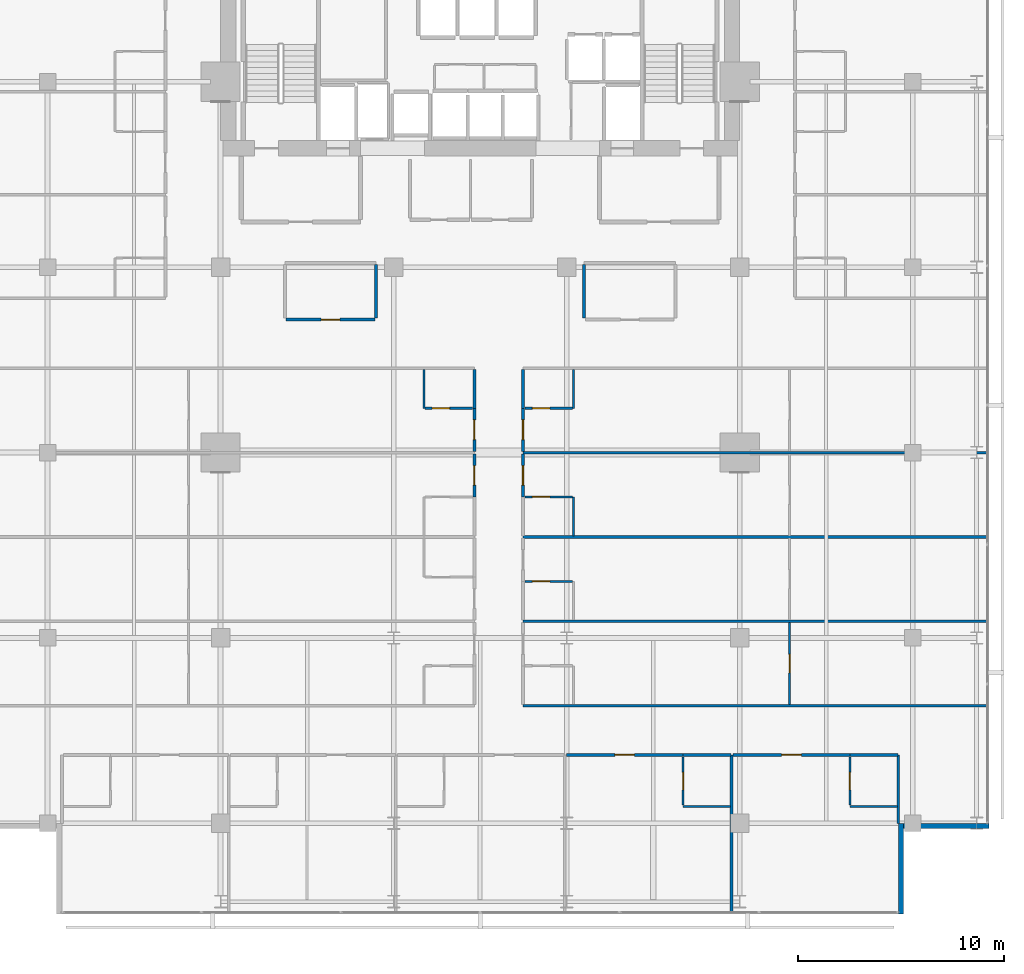
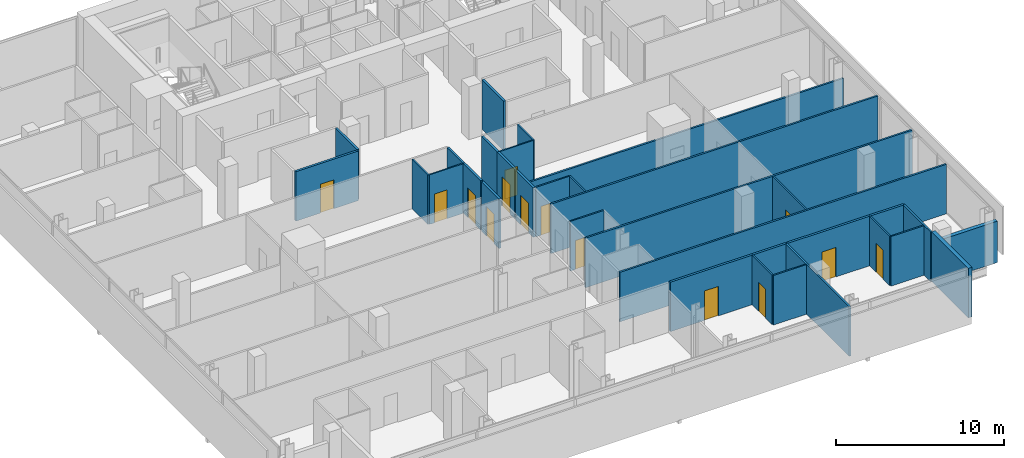
# One storey, part 28 of 34: 33 walls, 14 doors, 14 openings.
"""IFC4 building model written with IfcOpenShell, lengths in metres."""

from ifc_helpers import new_model, si_unit, direction, frame, frame_2d, origin, place, context, subcontext, project, spatial, rectangle, extrude, material, layer, layer_set, type_object, element, fill, save


model = new_model("IFC4")

# Units and contexts
model_context = context("Model", 3, precision=1e-05, world=origin(), true_north=direction((0.0, 1.0)))
body_context = subcontext(model_context, "Body", "Model", "MODEL_VIEW")
ifc_project = project(units=[si_unit("LENGTHUNIT", "METRE"), si_unit("AREAUNIT", "SQUARE_METRE"), si_unit("VOLUMEUNIT", "CUBIC_METRE"), si_unit("PLANEANGLEUNIT", "RADIAN"), si_unit("MASSUNIT", "GRAM", prefix="KILO")], contexts=[model_context])

# Site, building, storey
site_placement = place(None, origin())
site = spatial("IfcSite", under=ifc_project, at=site_placement, CompositionType="ELEMENT")
building_placement = place(site_placement, origin())
building = spatial("IfcBuilding", under=site, at=building_placement, Name="Maruvema Waterfront Hotel and Observation Tower", CompositionType="ELEMENT")
storey_placement = place(building_placement, frame((0.0, 0.0, 181.300048828125)))
storey = spatial("IfcBuildingStorey", under=building, at=storey_placement, Name="L44", CompositionType="ELEMENT", Elevation=181.300048828125)

# Wall
ifc_material_1 = material(Name="Twin-stud acoustic gypsum drywall", Category="gypsum")
ifc_layer_1 = layer(ifc_material_1, 0.14990234375, Name="Acoustic Corridor and Suite Demising Wall 150 mm")
ifc_layer_set_1 = layer_set([ifc_layer_1], Name="Twin-stud acoustic gypsum drywall")
wall_type_1 = type_object("IfcWallType", Name="Acoustic Corridor and Suite Demising Wall 150 mm", PredefinedType="PARTITIONING", material=ifc_layer_set_1)
wall_1_placement = place(storey_placement, frame((32.75, 33.530029296875, 0.0), z_axis=(0.0, 0.0, 1.0), x_axis=(0.0, 1.0, 0.0)))
element("IfcWall", 1, at=wall_1_placement, inside=storey, type_object=wall_type_1, Name="L44 L44-M1 East Wall 029", PredefinedType="PARTITIONING", context=body_context, shape_type="SweptSolid", body=[
    extrude(rectangle(XDim=2.590087890625, YDim=0.14990234375, at=frame_2d((1.294921875, 0.0))), origin(), (0.0, 0.0, 1.0), 3.60986328125),
])

# Wall, opening, door
wall_2_placement = place(storey_placement, frame((28.3798828125, 33.449951171875, 0.0), z_axis=(0.0, 0.0, 1.0), x_axis=(1.0, 0.0, 0.0)))
wall_2 = element("IfcWall", 2, at=wall_2_placement, inside=storey, type_object=wall_type_1, Name="L44 L44-M1 Front 1 030", PredefinedType="PARTITIONING", context=body_context, shape_type="SweptSolid", body=[
    extrude(rectangle(XDim=4.31005859375, YDim=0.14990234375, at=frame_2d((2.155029296875, 0.0))), origin(), (0.0, 0.0, 1.0), 3.60986328125),
])
opening_1_placement = place(wall_2_placement, frame((1.705078125, 0.0, 0.0)))
opening_1 = element("IfcOpeningElement", 3, at=opening_1_placement, cuts=wall_2, Name="Opening DR-090", PredefinedType="OPENING", context=body_context, shape_type="SweptSolid", body=[
    extrude(rectangle(XDim=0.89990234375, YDim=2.10009765625, at=frame_2d((0.449951171875, 1.050048828125))), frame((0.0, 0.0849609375, 0.0), z_axis=(0.0, -1.0, 0.0), x_axis=(1.0, 0.0, 0.0)), (0.0, 0.0, 1.0), 0.169921875),
])
ifc_material_2 = material(Name="Solid-core lacquered timber leaf", Category="wood")
door_type_1 = type_object("IfcDoorType", Name="Accessible Toilet and Room Door 900x2100 mm", OperationType="NOTDEFINED", PredefinedType="DOOR", material=ifc_material_2)
door_1_placement = place(opening_1_placement, frame((0.89990234375, 0.0, 0.0), z_axis=(0.0, 0.0, 1.0), x_axis=(-1.0, 0.0, 0.0)))
door_1 = element("IfcDoor", 4, at=door_1_placement, inside=storey, type_object=door_type_1, Name="L44 Meeting Room 1 Door", OperationType="SINGLE_SWING_RIGHT", OverallHeight=2.10009765625, OverallWidth=0.89990234375, PredefinedType="DOOR", context=body_context, shape_type="SweptSolid", body=[
    extrude(rectangle(XDim=0.89990234375, YDim=2.10009765625, at=frame_2d((0.449951171875, 1.050048828125))), frame((0.0, 0.02490234375, 0.0), z_axis=(0.0, -1.0, 0.0), x_axis=(1.0, 0.0, 0.0)), (0.0, 0.0, 1.0), 0.050048828125),
])
fill(opening_1, door_1)

# Walls
wall_3_placement = place(storey_placement, frame((42.85009765625, 33.530029296875, 0.0), z_axis=(0.0, 0.0, 1.0), x_axis=(0.0, 1.0, 0.0)))
element("IfcWall", 5, at=wall_3_placement, inside=storey, type_object=wall_type_1, Name="L44 L44-M2 West Wall 032", PredefinedType="PARTITIONING", context=body_context, shape_type="SweptSolid", body=[
    extrude(rectangle(XDim=2.590087890625, YDim=0.14990234375, at=frame_2d((1.294921875, 0.0))), origin(), (0.0, 0.0, 1.0), 3.60986328125),
])
wall_4_placement = place(storey_placement, frame((47.64990234375, 12.320068359375, 0.0), z_axis=(0.0, 0.0, 1.0), x_axis=(1.0, 0.0, 0.0)))
element("IfcWall", 6, at=wall_4_placement, inside=storey, type_object=wall_type_1, Name="L44 Bath L44-S4 Back Wall 052", PredefinedType="PARTITIONING", context=body_context, shape_type="SweptSolid", body=[
    extrude(rectangle(XDim=2.330078125, YDim=0.14990234375, at=frame_2d((1.1650390625, 0.0))), origin(), (0.0, 0.0, 1.0), 3.60986328125),
])

# Wall, opening, door
wall_5_placement = place(storey_placement, frame((41.97998046875, 12.320068359375, 0.0), z_axis=(0.0, 0.0, 1.0), x_axis=(1.0, 0.0, 0.0)))
wall_5 = element("IfcWall", 7, at=wall_5_placement, inside=storey, type_object=wall_type_1, Name="L44 Unit L44-S4 Corridor Wall 055", PredefinedType="PARTITIONING", context=body_context, shape_type="SweptSolid", body=[
    extrude(rectangle(XDim=5.669921875, YDim=0.14990234375, at=frame_2d((2.8349609375, 0.0))), origin(), (0.0, 0.0, 1.0), 3.60986328125),
])
opening_2_placement = place(wall_5_placement, frame((2.360107421875, 0.0, 0.0)))
opening_2 = element("IfcOpeningElement", 8, at=opening_2_placement, cuts=wall_5, Name="Opening DR-095", PredefinedType="OPENING", context=body_context, shape_type="SweptSolid", body=[
    extrude(rectangle(XDim=0.949951171875, YDim=2.14990234375, at=frame_2d((0.47509765625, 1.074951171875))), frame((0.0, 0.0849609375, 0.0), z_axis=(0.0, -1.0, 0.0), x_axis=(1.0, 0.0, 0.0)), (0.0, 0.0, 1.0), 0.169921875),
])
ifc_material_3 = material(Name="Acoustic solid-core hardwood timber leaf", Category="wood")
door_type_2 = type_object("IfcDoorType", Name="Guestroom Entrance Fire Door 950x2150 mm", OperationType="NOTDEFINED", PredefinedType="DOOR", material=ifc_material_3)
door_2_placement = place(opening_2_placement, frame((0.949951171875, 0.0, 0.0), z_axis=(0.0, 0.0, 1.0), x_axis=(-1.0, 0.0, 0.0)))
door_2 = element("IfcDoor", 9, at=door_2_placement, inside=storey, type_object=door_type_2, Name="L44 Unit L44-S4 Entrance Door", OperationType="SINGLE_SWING_LEFT", OverallHeight=2.14990234375, OverallWidth=0.949951171875, PredefinedType="DOOR", context=body_context, shape_type="SweptSolid", body=[
    extrude(rectangle(XDim=0.949951171875, YDim=2.14990234375, at=frame_2d((0.47509765625, 1.074951171875))), frame((0.0, 0.02490234375, 0.0), z_axis=(0.0, -1.0, 0.0), x_axis=(1.0, 0.0, 0.0)), (0.0, 0.0, 1.0), 0.050048828125),
])
fill(opening_2, door_2)

# Wall
wall_6_placement = place(storey_placement, frame((55.75, 12.320068359375, 0.0), z_axis=(0.0, 0.0, 1.0), x_axis=(1.0, 0.0, 0.0)))
element("IfcWall", 10, at=wall_6_placement, inside=storey, type_object=wall_type_1, Name="L44 Bath L44-S5 Back Wall 057", PredefinedType="PARTITIONING", context=body_context, shape_type="SweptSolid", body=[
    extrude(rectangle(XDim=2.330078125, YDim=0.14990234375, at=frame_2d((1.1650390625, 0.0))), origin(), (0.0, 0.0, 1.0), 3.60986328125),
])

# Wall, opening, door
wall_7_placement = place(storey_placement, frame((50.080078125, 12.320068359375, 0.0), z_axis=(0.0, 0.0, 1.0), x_axis=(1.0, 0.0, 0.0)))
wall_7 = element("IfcWall", 11, at=wall_7_placement, inside=storey, type_object=wall_type_1, Name="L44 Unit L44-S5 Corridor Wall 060", PredefinedType="PARTITIONING", context=body_context, shape_type="SweptSolid", body=[
    extrude(rectangle(XDim=5.669921875, YDim=0.14990234375, at=frame_2d((2.8349609375, 0.0))), origin(), (0.0, 0.0, 1.0), 3.60986328125),
])
opening_3_placement = place(wall_7_placement, frame((2.360107421875, 0.0, 0.0)))
opening_3 = element("IfcOpeningElement", 12, at=opening_3_placement, cuts=wall_7, Name="Opening DR-095", PredefinedType="OPENING", context=body_context, shape_type="SweptSolid", body=[
    extrude(rectangle(XDim=0.949951171875, YDim=2.14990234375, at=frame_2d((0.47509765625, 1.074951171875))), frame((0.0, 0.0849609375, 0.0), z_axis=(0.0, -1.0, 0.0), x_axis=(1.0, 0.0, 0.0)), (0.0, 0.0, 1.0), 0.169921875),
])
door_3_placement = place(opening_3_placement, frame((0.949951171875, 0.0, 0.0), z_axis=(0.0, 0.0, 1.0), x_axis=(-1.0, 0.0, 0.0)))
door_3 = element("IfcDoor", 13, at=door_3_placement, inside=storey, type_object=door_type_2, Name="L44 Unit L44-S5 Entrance Door", OperationType="SINGLE_SWING_LEFT", OverallHeight=2.14990234375, OverallWidth=0.949951171875, PredefinedType="DOOR", context=body_context, shape_type="SweptSolid", body=[
    extrude(rectangle(XDim=0.949951171875, YDim=2.14990234375, at=frame_2d((0.47509765625, 1.074951171875))), frame((0.0, 0.02490234375, 0.0), z_axis=(0.0, -1.0, 0.0), x_axis=(1.0, 0.0, 0.0)), (0.0, 0.0, 1.0), 0.050048828125),
])
fill(opening_3, door_3)

wall_8_placement = place(storey_placement, frame((37.52001953125, 24.85009765625, 0.0), z_axis=(0.0, 0.0, 1.0), x_axis=(0.0, 1.0, 0.0)))
wall_8 = element("IfcWall", 14, at=wall_8_placement, inside=storey, type_object=wall_type_1, Name="L44 Room L44-W3 Corridor Wall 090", PredefinedType="PARTITIONING", context=body_context, shape_type="SweptSolid", body=[
    extrude(rectangle(XDim=2.08984375, YDim=0.14990234375, at=frame_2d((1.044921875, 0.0))), origin(), (0.0, 0.0, 1.0), 3.60986328125),
])
opening_4_placement = place(wall_8_placement, frame((0.570068359375, 0.0, 0.0)))
opening_4 = element("IfcOpeningElement", 15, at=opening_4_placement, cuts=wall_8, Name="Opening DR-095", PredefinedType="OPENING", context=body_context, shape_type="SweptSolid", body=[
    extrude(rectangle(XDim=0.949951171875, YDim=2.14990234375, at=frame_2d((0.47509765625, 1.074951171875))), frame((0.0, 0.0849609375, 0.0), z_axis=(0.0, -1.0, 0.0), x_axis=(1.0, 0.0, 0.0)), (0.0, 0.0, 1.0), 0.169921875),
])
door_4_placement = place(opening_4_placement, origin())
door_4 = element("IfcDoor", 16, at=door_4_placement, inside=storey, type_object=door_type_2, Name="L44 Room L44-W3 Entrance Door", OperationType="SINGLE_SWING_LEFT", OverallHeight=2.14990234375, OverallWidth=0.949951171875, PredefinedType="DOOR", context=body_context, shape_type="SweptSolid", body=[
    extrude(rectangle(XDim=0.949951171875, YDim=2.14990234375, at=frame_2d((0.47509765625, 1.074951171875))), frame((0.0, 0.02490234375, 0.0), z_axis=(0.0, -1.0, 0.0), x_axis=(1.0, 0.0, 0.0)), (0.0, 0.0, 1.0), 0.050048828125),
])
fill(opening_4, door_4)

wall_9_placement = place(storey_placement, frame((39.8798828125, 24.85009765625, 0.0), z_axis=(0.0, 0.0, 1.0), x_axis=(0.0, 1.0, 0.0)))
wall_9 = element("IfcWall", 17, at=wall_9_placement, inside=storey, type_object=wall_type_1, Name="L44 Room L44-E3 Corridor Wall 095", PredefinedType="PARTITIONING", context=body_context, shape_type="SweptSolid", body=[
    extrude(rectangle(XDim=2.08984375, YDim=0.14990234375, at=frame_2d((1.044921875, 0.0))), origin(), (0.0, 0.0, 1.0), 3.60986328125),
])
opening_5_placement = place(wall_9_placement, frame((0.570068359375, 0.0, 0.0)))
opening_5 = element("IfcOpeningElement", 18, at=opening_5_placement, cuts=wall_9, Name="Opening DR-095", PredefinedType="OPENING", context=body_context, shape_type="SweptSolid", body=[
    extrude(rectangle(XDim=0.949951171875, YDim=2.14990234375, at=frame_2d((0.47509765625, 1.074951171875))), frame((0.0, 0.0849609375, 0.0), z_axis=(0.0, -1.0, 0.0), x_axis=(1.0, 0.0, 0.0)), (0.0, 0.0, 1.0), 0.169921875),
])
door_5_placement = place(opening_5_placement, frame((0.949951171875, 0.0, 0.0), z_axis=(0.0, 0.0, 1.0), x_axis=(-1.0, 0.0, 0.0)))
door_5 = element("IfcDoor", 19, at=door_5_placement, inside=storey, type_object=door_type_2, Name="L44 Room L44-E3 Entrance Door", OperationType="SINGLE_SWING_RIGHT", OverallHeight=2.14990234375, OverallWidth=0.949951171875, PredefinedType="DOOR", context=body_context, shape_type="SweptSolid", body=[
    extrude(rectangle(XDim=0.949951171875, YDim=2.14990234375, at=frame_2d((0.47509765625, 1.074951171875))), frame((0.0, 0.02490234375, 0.0), z_axis=(0.0, -1.0, 0.0), x_axis=(1.0, 0.0, 0.0)), (0.0, 0.0, 1.0), 0.050048828125),
])
fill(opening_5, door_5)

wall_10_placement = place(storey_placement, frame((37.52001953125, 27.06005859375, 0.0), z_axis=(0.0, 0.0, 1.0), x_axis=(0.0, 1.0, 0.0)))
wall_10 = element("IfcWall", 20, at=wall_10_placement, inside=storey, type_object=wall_type_1, Name="L44 Room L44-W4 Corridor Wall 101", PredefinedType="PARTITIONING", context=body_context, shape_type="SweptSolid", body=[
    extrude(rectangle(XDim=2.08984375, YDim=0.14990234375, at=frame_2d((1.044921875, 0.0))), origin(), (0.0, 0.0, 1.0), 3.60986328125),
])
opening_6_placement = place(wall_10_placement, frame((0.570068359375, 0.0, 0.0)))
opening_6 = element("IfcOpeningElement", 21, at=opening_6_placement, cuts=wall_10, Name="Opening DR-095", PredefinedType="OPENING", context=body_context, shape_type="SweptSolid", body=[
    extrude(rectangle(XDim=0.949951171875, YDim=2.14990234375, at=frame_2d((0.47509765625, 1.074951171875))), frame((0.0, 0.0849609375, 0.0), z_axis=(0.0, -1.0, 0.0), x_axis=(1.0, 0.0, 0.0)), (0.0, 0.0, 1.0), 0.169921875),
])
door_6_placement = place(opening_6_placement, origin())
door_6 = element("IfcDoor", 22, at=door_6_placement, inside=storey, type_object=door_type_2, Name="L44 Room L44-W4 Entrance Door", OperationType="SINGLE_SWING_LEFT", OverallHeight=2.14990234375, OverallWidth=0.949951171875, PredefinedType="DOOR", context=body_context, shape_type="SweptSolid", body=[
    extrude(rectangle(XDim=0.949951171875, YDim=2.14990234375, at=frame_2d((0.47509765625, 1.074951171875))), frame((0.0, 0.02490234375, 0.0), z_axis=(0.0, -1.0, 0.0), x_axis=(1.0, 0.0, 0.0)), (0.0, 0.0, 1.0), 0.050048828125),
])
fill(opening_6, door_6)

# Wall
wall_11_placement = place(storey_placement, frame((37.52001953125, 29.14990234375, 0.0), z_axis=(0.0, 0.0, 1.0), x_axis=(0.0, 1.0, 0.0)))
element("IfcWall", 23, at=wall_11_placement, inside=storey, type_object=wall_type_1, Name="L44 Bath L44-W4 Wall 102", PredefinedType="PARTITIONING", context=body_context, shape_type="SweptSolid", body=[
    extrude(rectangle(XDim=1.89013671875, YDim=0.14990234375, at=frame_2d((0.945068359375, 0.0))), origin(), (0.0, 0.0, 1.0), 3.60986328125),
])

# Wall, opening, door
wall_12_placement = place(storey_placement, frame((39.8798828125, 27.06005859375, 0.0), z_axis=(0.0, 0.0, 1.0), x_axis=(0.0, 1.0, 0.0)))
wall_12 = element("IfcWall", 24, at=wall_12_placement, inside=storey, type_object=wall_type_1, Name="L44 Room L44-E4 Corridor Wall 106", PredefinedType="PARTITIONING", context=body_context, shape_type="SweptSolid", body=[
    extrude(rectangle(XDim=2.08984375, YDim=0.14990234375, at=frame_2d((1.044921875, 0.0))), origin(), (0.0, 0.0, 1.0), 3.60986328125),
])
opening_7_placement = place(wall_12_placement, frame((0.570068359375, 0.0, 0.0)))
opening_7 = element("IfcOpeningElement", 25, at=opening_7_placement, cuts=wall_12, Name="Opening DR-095", PredefinedType="OPENING", context=body_context, shape_type="SweptSolid", body=[
    extrude(rectangle(XDim=0.949951171875, YDim=2.14990234375, at=frame_2d((0.47509765625, 1.074951171875))), frame((0.0, 0.0849609375, 0.0), z_axis=(0.0, -1.0, 0.0), x_axis=(1.0, 0.0, 0.0)), (0.0, 0.0, 1.0), 0.169921875),
])
door_7_placement = place(opening_7_placement, frame((0.949951171875, 0.0, 0.0), z_axis=(0.0, 0.0, 1.0), x_axis=(-1.0, 0.0, 0.0)))
door_7 = element("IfcDoor", 26, at=door_7_placement, inside=storey, type_object=door_type_2, Name="L44 Room L44-E4 Entrance Door", OperationType="SINGLE_SWING_RIGHT", OverallHeight=2.14990234375, OverallWidth=0.949951171875, PredefinedType="DOOR", context=body_context, shape_type="SweptSolid", body=[
    extrude(rectangle(XDim=0.949951171875, YDim=2.14990234375, at=frame_2d((0.47509765625, 1.074951171875))), frame((0.0, 0.02490234375, 0.0), z_axis=(0.0, -1.0, 0.0), x_axis=(1.0, 0.0, 0.0)), (0.0, 0.0, 1.0), 0.050048828125),
])
fill(opening_7, door_7)

# Walls
wall_13_placement = place(storey_placement, frame((39.8798828125, 29.14990234375, 0.0), z_axis=(0.0, 0.0, 1.0), x_axis=(0.0, 1.0, 0.0)))
element("IfcWall", 27, at=wall_13_placement, inside=storey, type_object=wall_type_1, Name="L44 Bath L44-E4 Wall 107", PredefinedType="PARTITIONING", context=body_context, shape_type="SweptSolid", body=[
    extrude(rectangle(XDim=1.89013671875, YDim=0.14990234375, at=frame_2d((0.945068359375, 0.0))), origin(), (0.0, 0.0, 1.0), 3.60986328125),
])
ifc_material_4 = material(Name="Moisture-resistant cement-board drywall", Category="gypsum")
ifc_layer_2 = layer(ifc_material_4, 0.10009765625, Name="En-Suite Moisture-Resistant Partition 100 mm")
ifc_layer_set_2 = layer_set([ifc_layer_2], Name="Moisture-resistant cement-board drywall")
wall_type_2 = type_object("IfcWallType", Name="En-Suite Moisture-Resistant Partition 100 mm", PredefinedType="PARTITIONING", material=ifc_layer_set_2)
wall_14_placement = place(storey_placement, frame((47.64990234375, 9.820068359375, 0.0), z_axis=(0.0, 0.0, 1.0), x_axis=(1.0, 0.0, 0.0)))
element("IfcWall", 28, at=wall_14_placement, inside=storey, type_object=wall_type_2, Name="L44 En-Suite L44-S4 South 053", PredefinedType="PARTITIONING", context=body_context, shape_type="SweptSolid", body=[
    extrude(rectangle(XDim=2.31005859375, YDim=0.10009765625, at=frame_2d((1.155029296875, 0.0))), origin(), (0.0, 0.0, 1.0), 3.60986328125),
])

# Wall, opening, door
wall_15_placement = place(storey_placement, frame((47.64990234375, 9.8798828125, 0.0), z_axis=(0.0, 0.0, 1.0), x_axis=(0.0, 1.0, 0.0)))
wall_15 = element("IfcWall", 29, at=wall_15_placement, inside=storey, type_object=wall_type_2, Name="L44 En-Suite L44-S4 West 054", PredefinedType="PARTITIONING", context=body_context, shape_type="SweptSolid", body=[
    extrude(rectangle(XDim=2.340087890625, YDim=0.10009765625, at=frame_2d((1.169921875, 0.0))), origin(), (0.0, 0.0, 1.0), 3.60986328125),
])
opening_8_placement = place(wall_15_placement, frame((0.7451171875, 0.0, 0.0)))
opening_8 = element("IfcOpeningElement", 30, at=opening_8_placement, cuts=wall_15, Name="Opening DR-085", PredefinedType="OPENING", context=body_context, shape_type="SweptSolid", body=[
    extrude(rectangle(XDim=0.85009765625, YDim=2.10009765625, at=frame_2d((0.425048828125, 1.050048828125))), frame((0.0, 0.06005859375, 0.0), z_axis=(0.0, -1.0, 0.0), x_axis=(1.0, 0.0, 0.0)), (0.0, 0.0, 1.0), 0.1201171875),
])
ifc_material_5 = material(Name="Moisture-resistant solid timber leaf", Category="wood")
door_type_3 = type_object("IfcDoorType", Name="En-Suite Bathroom Door 850x2100 mm", OperationType="NOTDEFINED", PredefinedType="DOOR", material=ifc_material_5)
door_8_placement = place(opening_8_placement, origin())
door_8 = element("IfcDoor", 31, at=door_8_placement, inside=storey, type_object=door_type_3, Name="L44 En-Suite L44-S4 Door", OperationType="SINGLE_SWING_RIGHT", OverallHeight=2.10009765625, OverallWidth=0.85009765625, PredefinedType="DOOR", context=body_context, shape_type="SweptSolid", body=[
    extrude(rectangle(XDim=0.85009765625, YDim=2.10009765625, at=frame_2d((0.425048828125, 1.050048828125))), frame((0.0, 0.02490234375, 0.0), z_axis=(0.0, -1.0, 0.0), x_axis=(1.0, 0.0, 0.0)), (0.0, 0.0, 1.0), 0.050048828125),
])
fill(opening_8, door_8)

# Wall
wall_16_placement = place(storey_placement, frame((55.75, 9.820068359375, 0.0), z_axis=(0.0, 0.0, 1.0), x_axis=(1.0, 0.0, 0.0)))
element("IfcWall", 32, at=wall_16_placement, inside=storey, type_object=wall_type_2, Name="L44 En-Suite L44-S5 South 058", PredefinedType="PARTITIONING", context=body_context, shape_type="SweptSolid", body=[
    extrude(rectangle(XDim=2.31005859375, YDim=0.10009765625, at=frame_2d((1.155029296875, 0.0))), origin(), (0.0, 0.0, 1.0), 3.60986328125),
])

# Wall, opening, door
wall_17_placement = place(storey_placement, frame((55.75, 9.8798828125, 0.0), z_axis=(0.0, 0.0, 1.0), x_axis=(0.0, 1.0, 0.0)))
wall_17 = element("IfcWall", 33, at=wall_17_placement, inside=storey, type_object=wall_type_2, Name="L44 En-Suite L44-S5 West 059", PredefinedType="PARTITIONING", context=body_context, shape_type="SweptSolid", body=[
    extrude(rectangle(XDim=2.340087890625, YDim=0.10009765625, at=frame_2d((1.169921875, 0.0))), origin(), (0.0, 0.0, 1.0), 3.60986328125),
])
opening_9_placement = place(wall_17_placement, frame((0.7451171875, 0.0, 0.0)))
opening_9 = element("IfcOpeningElement", 34, at=opening_9_placement, cuts=wall_17, Name="Opening DR-085", PredefinedType="OPENING", context=body_context, shape_type="SweptSolid", body=[
    extrude(rectangle(XDim=0.85009765625, YDim=2.10009765625, at=frame_2d((0.425048828125, 1.050048828125))), frame((0.0, 0.06005859375, 0.0), z_axis=(0.0, -1.0, 0.0), x_axis=(1.0, 0.0, 0.0)), (0.0, 0.0, 1.0), 0.1201171875),
])
door_9_placement = place(opening_9_placement, origin())
door_9 = element("IfcDoor", 35, at=door_9_placement, inside=storey, type_object=door_type_3, Name="L44 En-Suite L44-S5 Door", OperationType="SINGLE_SWING_RIGHT", OverallHeight=2.10009765625, OverallWidth=0.85009765625, PredefinedType="DOOR", context=body_context, shape_type="SweptSolid", body=[
    extrude(rectangle(XDim=0.85009765625, YDim=2.10009765625, at=frame_2d((0.425048828125, 1.050048828125))), frame((0.0, 0.02490234375, 0.0), z_axis=(0.0, -1.0, 0.0), x_axis=(1.0, 0.0, 0.0)), (0.0, 0.0, 1.0), 0.050048828125),
])
fill(opening_9, door_9)

wall_18_placement = place(storey_placement, frame((52.818359375, 14.760009765625, 0.0), z_axis=(0.0, 0.0, 1.0), x_axis=(0.0, 1.0, 0.0)))
wall_18 = element("IfcWall", 36, at=wall_18_placement, inside=storey, type_object=wall_type_2, Name="L44 Suite L44-E1 Split 074", PredefinedType="PARTITIONING", context=body_context, shape_type="SweptSolid", body=[
    extrude(rectangle(XDim=3.97998046875, YDim=0.10009765625, at=frame_2d((1.989990234375, 0.0))), origin(), (0.0, 0.0, 1.0), 3.60986328125),
])
opening_10_placement = place(wall_18_placement, frame((1.5400390625, 0.0, 0.0)))
opening_10 = element("IfcOpeningElement", 37, at=opening_10_placement, cuts=wall_18, Name="Opening DR-090", PredefinedType="OPENING", context=body_context, shape_type="SweptSolid", body=[
    extrude(rectangle(XDim=0.89990234375, YDim=2.10009765625, at=frame_2d((0.449951171875, 1.050048828125))), frame((0.0, 0.06005859375, 0.0), z_axis=(0.0, -1.0, 0.0), x_axis=(1.0, 0.0, 0.0)), (0.0, 0.0, 1.0), 0.1201171875),
])
door_10_placement = place(opening_10_placement, frame((0.89990234375, 0.0, 0.0), z_axis=(0.0, 0.0, 1.0), x_axis=(-1.0, 0.0, 0.0)))
door_10 = element("IfcDoor", 38, at=door_10_placement, inside=storey, type_object=door_type_1, Name="L44 Suite L44-E1 Bedroom Door", OperationType="SINGLE_SWING_LEFT", OverallHeight=2.10009765625, OverallWidth=0.89990234375, PredefinedType="DOOR", context=body_context, shape_type="SweptSolid", body=[
    extrude(rectangle(XDim=0.89990234375, YDim=2.10009765625, at=frame_2d((0.449951171875, 1.050048828125))), frame((0.0, 0.02490234375, 0.0), z_axis=(0.0, -1.0, 0.0), x_axis=(1.0, 0.0, 0.0)), (0.0, 0.0, 1.0), 0.050048828125),
])
fill(opening_10, door_10)

wall_19_placement = place(storey_placement, frame((39.97998046875, 20.75, 0.0), z_axis=(0.0, 0.0, 1.0), x_axis=(1.0, 0.0, 0.0)))
wall_19 = element("IfcWall", 39, at=wall_19_placement, inside=storey, type_object=wall_type_2, Name="L44 En-Suite L44-E2 N 085", PredefinedType="PARTITIONING", context=body_context, shape_type="SweptSolid", body=[
    extrude(rectangle(XDim=2.300048828125, YDim=0.10009765625, at=frame_2d((1.14990234375, 0.0))), origin(), (0.0, 0.0, 1.0), 3.60986328125),
])
opening_11_placement = place(wall_19_placement, frame((0.35009765625, 0.0, 0.0)))
opening_11 = element("IfcOpeningElement", 40, at=opening_11_placement, cuts=wall_19, Name="Opening DR-085", PredefinedType="OPENING", context=body_context, shape_type="SweptSolid", body=[
    extrude(rectangle(XDim=0.85009765625, YDim=2.10009765625, at=frame_2d((0.425048828125, 1.050048828125))), frame((0.0, 0.06005859375, 0.0), z_axis=(0.0, -1.0, 0.0), x_axis=(1.0, 0.0, 0.0)), (0.0, 0.0, 1.0), 0.1201171875),
])
door_11_placement = place(opening_11_placement, origin())
door_11 = element("IfcDoor", 41, at=door_11_placement, inside=storey, type_object=door_type_3, Name="L44 En-Suite L44-E2 Door", OperationType="SINGLE_SWING_LEFT", OverallHeight=2.10009765625, OverallWidth=0.85009765625, PredefinedType="DOOR", context=body_context, shape_type="SweptSolid", body=[
    extrude(rectangle(XDim=0.85009765625, YDim=2.10009765625, at=frame_2d((0.425048828125, 1.050048828125))), frame((0.0, 0.02490234375, 0.0), z_axis=(0.0, -1.0, 0.0), x_axis=(1.0, 0.0, 0.0)), (0.0, 0.0, 1.0), 0.050048828125),
])
fill(opening_11, door_11)

# Wall
wall_20_placement = place(storey_placement, frame((42.330078125, 22.9599609375, 0.0), z_axis=(0.0, 0.0, 1.0), x_axis=(0.0, 1.0, 0.0)))
element("IfcWall", 42, at=wall_20_placement, inside=storey, type_object=wall_type_2, Name="L44 En-Suite L44-E3 E 096", PredefinedType="PARTITIONING", context=body_context, shape_type="SweptSolid", body=[
    extrude(rectangle(XDim=1.89013671875, YDim=0.10009765625, at=frame_2d((0.945068359375, 0.0))), origin(), (0.0, 0.0, 1.0), 3.60986328125),
])

# Wall, opening, door
wall_21_placement = place(storey_placement, frame((39.97998046875, 24.85009765625, 0.0), z_axis=(0.0, 0.0, 1.0), x_axis=(1.0, 0.0, 0.0)))
wall_21 = element("IfcWall", 43, at=wall_21_placement, inside=storey, type_object=wall_type_2, Name="L44 En-Suite L44-E3 N 097", PredefinedType="PARTITIONING", context=body_context, shape_type="SweptSolid", body=[
    extrude(rectangle(XDim=2.300048828125, YDim=0.10009765625, at=frame_2d((1.14990234375, 0.0))), origin(), (0.0, 0.0, 1.0), 3.60986328125),
])
opening_12_placement = place(wall_21_placement, frame((0.35009765625, 0.0, 0.0)))
opening_12 = element("IfcOpeningElement", 44, at=opening_12_placement, cuts=wall_21, Name="Opening DR-085", PredefinedType="OPENING", context=body_context, shape_type="SweptSolid", body=[
    extrude(rectangle(XDim=0.85009765625, YDim=2.10009765625, at=frame_2d((0.425048828125, 1.050048828125))), frame((0.0, 0.06005859375, 0.0), z_axis=(0.0, -1.0, 0.0), x_axis=(1.0, 0.0, 0.0)), (0.0, 0.0, 1.0), 0.1201171875),
])
door_12_placement = place(opening_12_placement, origin())
door_12 = element("IfcDoor", 45, at=door_12_placement, inside=storey, type_object=door_type_3, Name="L44 En-Suite L44-E3 Door", OperationType="SINGLE_SWING_LEFT", OverallHeight=2.10009765625, OverallWidth=0.85009765625, PredefinedType="DOOR", context=body_context, shape_type="SweptSolid", body=[
    extrude(rectangle(XDim=0.85009765625, YDim=2.10009765625, at=frame_2d((0.425048828125, 1.050048828125))), frame((0.0, 0.02490234375, 0.0), z_axis=(0.0, -1.0, 0.0), x_axis=(1.0, 0.0, 0.0)), (0.0, 0.0, 1.0), 0.050048828125),
])
fill(opening_12, door_12)

# Wall
wall_22_placement = place(storey_placement, frame((35.070068359375, 29.14990234375, 0.0), z_axis=(0.0, 0.0, 1.0), x_axis=(0.0, 1.0, 0.0)))
element("IfcWall", 46, at=wall_22_placement, inside=storey, type_object=wall_type_2, Name="L44 En-Suite L44-W4 W 103", PredefinedType="PARTITIONING", context=body_context, shape_type="SweptSolid", body=[
    extrude(rectangle(XDim=1.89013671875, YDim=0.10009765625, at=frame_2d((0.945068359375, 0.0))), origin(), (0.0, 0.0, 1.0), 3.60986328125),
])

# Wall, opening, door
wall_23_placement = place(storey_placement, frame((35.1201171875, 29.14990234375, 0.0), z_axis=(0.0, 0.0, 1.0), x_axis=(1.0, 0.0, 0.0)))
wall_23 = element("IfcWall", 47, at=wall_23_placement, inside=storey, type_object=wall_type_2, Name="L44 En-Suite L44-W4 S 104", PredefinedType="PARTITIONING", context=body_context, shape_type="SweptSolid", body=[
    extrude(rectangle(XDim=2.2998046875, YDim=0.10009765625, at=frame_2d((1.14990234375, 0.0))), origin(), (0.0, 0.0, 1.0), 3.60986328125),
])
opening_13_placement = place(wall_23_placement, frame((0.35009765625, 0.0, 0.0)))
opening_13 = element("IfcOpeningElement", 48, at=opening_13_placement, cuts=wall_23, Name="Opening DR-085", PredefinedType="OPENING", context=body_context, shape_type="SweptSolid", body=[
    extrude(rectangle(XDim=0.85009765625, YDim=2.10009765625, at=frame_2d((0.425048828125, 1.050048828125))), frame((0.0, 0.06005859375, 0.0), z_axis=(0.0, -1.0, 0.0), x_axis=(1.0, 0.0, 0.0)), (0.0, 0.0, 1.0), 0.1201171875),
])
door_13_placement = place(opening_13_placement, frame((0.85009765625, 0.0, 0.0), z_axis=(0.0, 0.0, 1.0), x_axis=(-1.0, 0.0, 0.0)))
door_13 = element("IfcDoor", 49, at=door_13_placement, inside=storey, type_object=door_type_3, Name="L44 En-Suite L44-W4 Door", OperationType="SINGLE_SWING_RIGHT", OverallHeight=2.10009765625, OverallWidth=0.85009765625, PredefinedType="DOOR", context=body_context, shape_type="SweptSolid", body=[
    extrude(rectangle(XDim=0.85009765625, YDim=2.10009765625, at=frame_2d((0.425048828125, 1.050048828125))), frame((0.0, 0.02490234375, 0.0), z_axis=(0.0, -1.0, 0.0), x_axis=(1.0, 0.0, 0.0)), (0.0, 0.0, 1.0), 0.050048828125),
])
fill(opening_13, door_13)

# Wall
wall_24_placement = place(storey_placement, frame((42.330078125, 29.14990234375, 0.0), z_axis=(0.0, 0.0, 1.0), x_axis=(0.0, 1.0, 0.0)))
element("IfcWall", 50, at=wall_24_placement, inside=storey, type_object=wall_type_2, Name="L44 En-Suite L44-E4 E 108", PredefinedType="PARTITIONING", context=body_context, shape_type="SweptSolid", body=[
    extrude(rectangle(XDim=1.89013671875, YDim=0.10009765625, at=frame_2d((0.945068359375, 0.0))), origin(), (0.0, 0.0, 1.0), 3.60986328125),
])

# Wall, opening, door
wall_25_placement = place(storey_placement, frame((39.97998046875, 29.14990234375, 0.0), z_axis=(0.0, 0.0, 1.0), x_axis=(1.0, 0.0, 0.0)))
wall_25 = element("IfcWall", 51, at=wall_25_placement, inside=storey, type_object=wall_type_2, Name="L44 En-Suite L44-E4 S 109", PredefinedType="PARTITIONING", context=body_context, shape_type="SweptSolid", body=[
    extrude(rectangle(XDim=2.300048828125, YDim=0.10009765625, at=frame_2d((1.14990234375, 0.0))), origin(), (0.0, 0.0, 1.0), 3.60986328125),
])
opening_14_placement = place(wall_25_placement, frame((0.35009765625, 0.0, 0.0)))
opening_14 = element("IfcOpeningElement", 52, at=opening_14_placement, cuts=wall_25, Name="Opening DR-085", PredefinedType="OPENING", context=body_context, shape_type="SweptSolid", body=[
    extrude(rectangle(XDim=0.85009765625, YDim=2.10009765625, at=frame_2d((0.425048828125, 1.050048828125))), frame((0.0, 0.06005859375, 0.0), z_axis=(0.0, -1.0, 0.0), x_axis=(1.0, 0.0, 0.0)), (0.0, 0.0, 1.0), 0.1201171875),
])
door_14_placement = place(opening_14_placement, frame((0.85009765625, 0.0, 0.0), z_axis=(0.0, 0.0, 1.0), x_axis=(-1.0, 0.0, 0.0)))
door_14 = element("IfcDoor", 53, at=door_14_placement, inside=storey, type_object=door_type_3, Name="L44 En-Suite L44-E4 Door", OperationType="SINGLE_SWING_LEFT", OverallHeight=2.10009765625, OverallWidth=0.85009765625, PredefinedType="DOOR", context=body_context, shape_type="SweptSolid", body=[
    extrude(rectangle(XDim=0.85009765625, YDim=2.10009765625, at=frame_2d((0.425048828125, 1.050048828125))), frame((0.0, 0.02490234375, 0.0), z_axis=(0.0, -1.0, 0.0), x_axis=(1.0, 0.0, 0.0)), (0.0, 0.0, 1.0), 0.050048828125),
])
fill(opening_14, door_14)

# Walls
ifc_material_6 = material(Name="Precast concrete C45/55 with honed Pernambuco granite facing", Category="masonry")
ifc_layer_3 = layer(ifc_material_6, 0.260009765625, Name="Exterior Granite Clad Spandrel and Pier Wall 260 mm")
ifc_layer_set_3 = layer_set([ifc_layer_3], Name="Precast concrete C45/55 with honed Pernambuco granite facing")
wall_type_3 = type_object("IfcWallType", Name="Exterior Granite Clad Spandrel and Pier Wall 260 mm", PredefinedType="SOLIDWALL", material=ifc_layer_set_3)
wall_26_placement = place(storey_placement, frame((58.22998046875, 9.0, 0.0), z_axis=(0.0, 0.0, 1.0), x_axis=(0.0, -1.0, 0.0)))
element("IfcWall", 54, at=wall_26_placement, inside=storey, type_object=wall_type_3, Name="L44 Corner Notch Granite Pier Wall SE1", PredefinedType="SOLIDWALL", context=body_context, shape_type="SweptSolid", body=[
    extrude(rectangle(XDim=4.39990234375, YDim=0.260009765625, at=frame_2d((2.199951171875, 0.0))), origin(), (0.0, 0.0, 1.0), 3.60986328125),
])
wall_27_placement = place(storey_placement, frame((62.5, 8.8701171875, 0.0), z_axis=(0.0, 0.0, 1.0), x_axis=(-1.0, 0.0, 0.0)))
element("IfcWall", 55, at=wall_27_placement, inside=storey, type_object=wall_type_3, Name="L44 Corner Notch Granite Pier Wall SE2", PredefinedType="SOLIDWALL", context=body_context, shape_type="SweptSolid", body=[
    extrude(rectangle(XDim=4.39990234375, YDim=0.260009765625, at=frame_2d((2.199951171875, 0.0))), origin(), (0.0, 0.0, 1.0), 3.0068359375),
])
ifc_material_7 = material(Name="Acoustic gypsum plasterboard drywall", Category="gypsum")
ifc_layer_4 = layer(ifc_material_7, 0.125, Name="Guestroom Acoustic Demising Wall 125 mm")
ifc_layer_set_4 = layer_set([ifc_layer_4], Name="Acoustic gypsum plasterboard drywall")
wall_type_4 = type_object("IfcWallType", Name="Guestroom Acoustic Demising Wall 125 mm", PredefinedType="PARTITIONING", material=ifc_layer_set_4)
wall_28_placement = place(storey_placement, frame((58.10009765625, 9.0, 0.0), z_axis=(0.0, 0.0, 1.0), x_axis=(0.0, 1.0, 0.0)))
element("IfcWall", 56, at=wall_28_placement, inside=storey, type_object=wall_type_4, Name="L44 Z2 S East End 036", PredefinedType="PARTITIONING", context=body_context, shape_type="SweptSolid", body=[
    extrude(rectangle(XDim=3.320068359375, YDim=0.125, at=frame_2d((1.66015625, 0.0))), origin(), (0.0, 0.0, 1.0), 3.60986328125),
])
wall_29_placement = place(storey_placement, frame((50.0, 4.699951171875, 0.0), z_axis=(0.0, 0.0, 1.0), x_axis=(0.0, 1.0, 0.0)))
element("IfcWall", 57, at=wall_29_placement, inside=storey, type_object=wall_type_4, Name="L44 Z2 S Demising 5 056", PredefinedType="PARTITIONING", context=body_context, shape_type="SweptSolid", body=[
    extrude(rectangle(XDim=7.6201171875, YDim=0.125, at=frame_2d((3.81005859375, 0.0))), origin(), (0.0, 0.0, 1.0), 3.60986328125),
])
for number, where, z_axis, x_axis, name in (
    (58, (39.8798828125, 14.699951171875, 0.0), (0.0, 0.0, 1.0), (1.0, 0.0, 0.0), "L44 Z2 E Bot End 062"),
    (59, (39.8798828125, 18.800048828125, 0.0), (0.0, 0.0, 1.0), (1.0, 0.0, 0.0), "L44 Z2 E Demising 2 076"),
    (60, (39.8798828125, 22.89990234375, 0.0), (0.0, 0.0, 1.0), (1.0, 0.0, 0.0), "L44 Z2 E Demising 3 088"),
):
    element("IfcWall", number, at=place(storey_placement, frame(where, z_axis=z_axis, x_axis=x_axis)), inside=storey, type_object=wall_type_4, Name=name, PredefinedType="PARTITIONING", context=body_context, shape_type="SweptSolid", body=[
        extrude(rectangle(XDim=22.52001953125, YDim=0.125, at=frame_2d((11.260009765625, 0.0))), origin(), (0.0, 0.0, 1.0), 3.60986328125),
    ])
wall_30_placement = place(storey_placement, frame((39.8798828125, 27.0, 0.0), z_axis=(0.0, 0.0, 1.0), x_axis=(1.0, 0.0, 0.0)))
element("IfcWall", 61, at=wall_30_placement, inside=storey, type_object=wall_type_4, Name="L44 Z2 E Demising 4 100", PredefinedType="PARTITIONING", context=body_context, shape_type="SweptSolid", body=[
    extrude(rectangle(XDim=22.52001953125, YDim=0.125, at=frame_2d((11.260009765625, 0.0))), origin(), (0.0, 0.0, 1.0), 2.409912109375),
])

save(model, "model.ifc")
